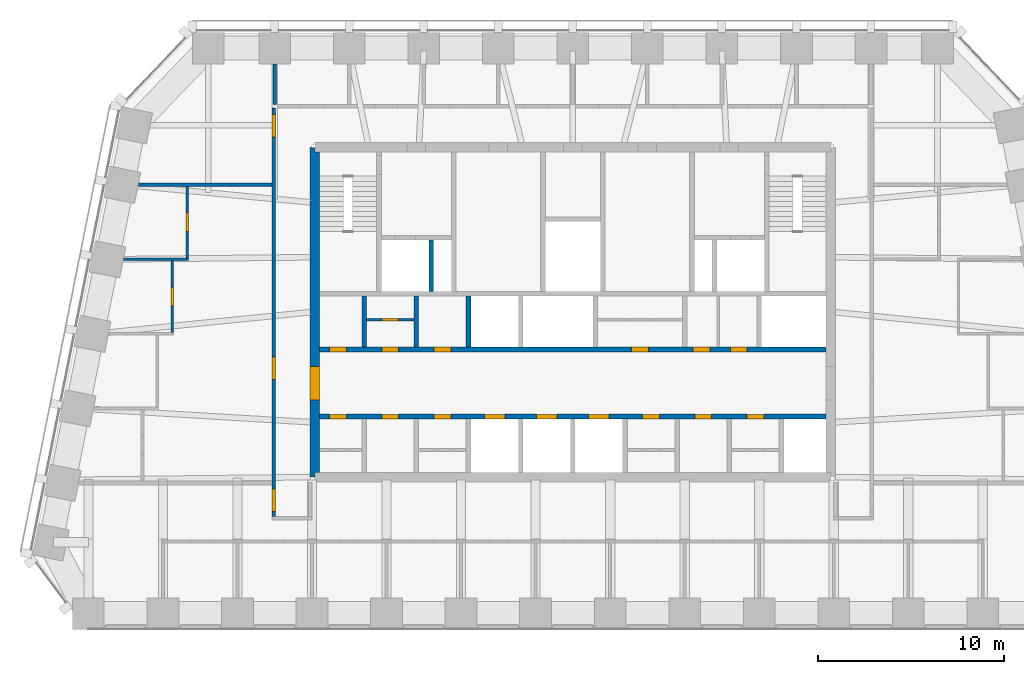
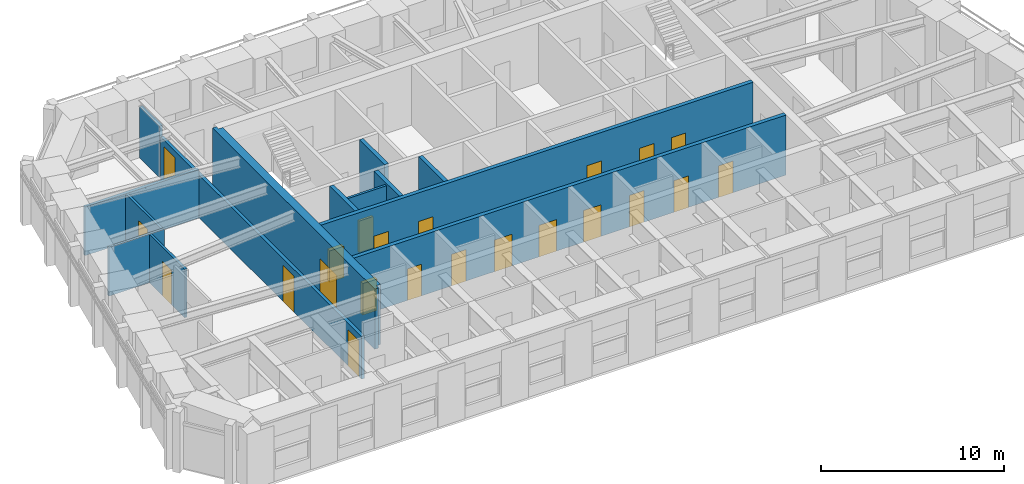
# One storey, part 6 of 12: 22 doors, 14 walls, 22 openings.
"""IFC4 building model written with IfcOpenShell, lengths in metres."""

from ifc_helpers import new_model, si_unit, direction, frame, frame_2d, origin, place, context, subcontext, project, spatial, polyline, rectangle, outline, extrude, material, layer, layer_set, type_object, element, fill, save


model = new_model("IFC4")

# Units and contexts
model_context = context("Model", 3, precision=1e-05, world=origin(), true_north=direction((0.0, 1.0)))
body_context = subcontext(model_context, "Body", "Model", "MODEL_VIEW")
ifc_project = project(units=[si_unit("LENGTHUNIT", "METRE"), si_unit("AREAUNIT", "SQUARE_METRE"), si_unit("VOLUMEUNIT", "CUBIC_METRE"), si_unit("PLANEANGLEUNIT", "RADIAN"), si_unit("MASSUNIT", "GRAM", prefix="KILO")], contexts=[model_context])

# Site, building, storey
site_placement = place(None, origin())
site = spatial("IfcSite", under=ifc_project, at=site_placement, CompositionType="ELEMENT")
building_placement = place(site_placement, origin())
building = spatial("IfcBuilding", under=site, at=building_placement, Name="Isbrekke Arena Tower", CompositionType="ELEMENT")
storey_placement = place(building_placement, frame((0.0, 0.0, 304.0)))
storey = spatial("IfcBuildingStorey", under=building, at=storey_placement, Name="L71", CompositionType="ELEMENT", Elevation=304.0)

# Wall, opening, door
ifc_material_1 = material(Name="Concrete B55 (C55/67)", Category="concrete")
ifc_layer_1 = layer(ifc_material_1, 0.5)
ifc_layer_set_1 = layer_set([ifc_layer_1], Name="CW5 CORE WALL 500")
wall_type_1 = type_object("IfcWallType", Name="CW5 CORE WALL 500", PredefinedType="SHEAR", material=ifc_layer_set_1)
wall_1_placement = place(storey_placement, frame((-13.85009765625, 23.85009765625, 0.0), z_axis=(0.0, 0.0, 1.0), x_axis=(0.0, -1.0, 0.0)))
wall_1 = element("IfcWall", 1, at=wall_1_placement, inside=storey, type_object=wall_type_1, Name="Core wall W L71", PredefinedType="SHEAR", context=body_context, shape_type="SweptSolid", body=[
    extrude(outline(polyline([(0.0, -0.25), (17.7001953125, -0.25), (17.7001953125, 0.0), (17.4501953125, 0.0), (17.4501953125, 0.25), (0.25, 0.25), (0.25, 0.0), (0.0, 0.0), (0.0, -0.25)])), origin(), (0.0, 0.0, 1.0), 4.0),
])
opening_1_placement = place(wall_1_placement, frame((11.75, 0.0, 0.0)))
opening_1 = element("IfcOpeningElement", 2, at=opening_1_placement, cuts=wall_1, Name="Opening D1", PredefinedType="OPENING", context=body_context, shape_type="SweptSolid", body=[
    extrude(rectangle(XDim=1.800048828125, YDim=2.39990234375, at=frame_2d((0.89990234375, 1.199951171875))), frame((0.0, 0.264892578125, 0.0), z_axis=(0.0, -1.0, 0.0), x_axis=(1.0, 0.0, 0.0)), (0.0, 0.0, 1.0), 0.52978515625),
])
ifc_material_2 = material(Name="Steel-framed glazed fire door", Category="steel")
door_type_1 = type_object("IfcDoorType", Name="D1 CORE LOBBY DOOR 1800 x 2400", OperationType="DOUBLE_DOOR_SINGLE_SWING", PredefinedType="DOOR", material=ifc_material_2)
door_1_placement = place(opening_1_placement, origin())
door_1 = element("IfcDoor", 3, at=door_1_placement, inside=storey, type_object=door_type_1, Name="D1 lift lobby door west L71", OperationType="DOUBLE_DOOR_SINGLE_SWING", OverallHeight=2.39990234375, OverallWidth=1.800048828125, PredefinedType="DOOR", context=body_context, shape_type="SweptSolid", body=[
    extrude(rectangle(XDim=1.800048828125, YDim=2.39990234375, at=frame_2d((0.89990234375, 1.199951171875))), frame((0.0, 0.249755859375, 0.0), z_axis=(0.0, -1.0, 0.0), x_axis=(1.0, 0.0, 0.0)), (0.0, 0.0, 1.0), 0.49951171875),
])
fill(opening_1, door_1)

# Wall, openings, doors
ifc_material_3 = material(Name="Concrete B45 (C45/55)", Category="concrete")
ifc_layer_2 = layer(ifc_material_3, 0.25)
ifc_layer_set_2 = layer_set([ifc_layer_2], Name="CW6 SHAFT WALL 250")
wall_type_2 = type_object("IfcWallType", Name="CW6 SHAFT WALL 250", PredefinedType="SHEAR", material=ifc_layer_set_2)
wall_2_placement = place(storey_placement, frame((-13.60009765625, 9.39990234375, 0.0), z_axis=(0.0, 0.0, 1.0), x_axis=(1.0, 0.0, 0.0)))
wall_2 = element("IfcWall", 4, at=wall_2_placement, inside=storey, type_object=wall_type_2, Name="Core wall LS L71", PredefinedType="SHEAR", context=body_context, shape_type="SweptSolid", body=[
    extrude(rectangle(XDim=27.2001953125, YDim=0.25, at=frame_2d((13.60009765625, 0.0))), origin(), (0.0, 0.0, 1.0), 4.0),
])
opening_2_placement = place(wall_2_placement, frame((8.85009765625, 0.0, 0.0)))
opening_2 = element("IfcOpeningElement", 5, at=opening_2_placement, cuts=wall_2, Name="Opening LD1", PredefinedType="OPENING", context=body_context, shape_type="SweptSolid", body=[
    extrude(rectangle(XDim=1.10009765625, YDim=2.10009765625, at=frame_2d((0.550048828125, 1.050048828125))), frame((0.0, 0.139892578125, 0.0), z_axis=(0.0, -1.0, 0.0), x_axis=(1.0, 0.0, 0.0)), (0.0, 0.0, 1.0), 0.27978515625),
])
opening_3_placement = place(wall_2_placement, frame((11.64990234375, 0.0, 0.0)))
opening_3 = element("IfcOpeningElement", 6, at=opening_3_placement, cuts=wall_2, Name="Opening LD1", PredefinedType="OPENING", context=body_context, shape_type="SweptSolid", body=[
    extrude(rectangle(XDim=1.10009765625, YDim=2.10009765625, at=frame_2d((0.550048828125, 1.050048828125))), frame((0.0, 0.139892578125, 0.0), z_axis=(0.0, -1.0, 0.0), x_axis=(1.0, 0.0, 0.0)), (0.0, 0.0, 1.0), 0.27978515625),
])
opening_4_placement = place(wall_2_placement, frame((14.449951171875, 0.0, 0.0)))
opening_4 = element("IfcOpeningElement", 7, at=opening_4_placement, cuts=wall_2, Name="Opening LD1", PredefinedType="OPENING", context=body_context, shape_type="SweptSolid", body=[
    extrude(rectangle(XDim=1.10009765625, YDim=2.10009765625, at=frame_2d((0.550048828125, 1.050048828125))), frame((0.0, 0.139892578125, 0.0), z_axis=(0.0, -1.0, 0.0), x_axis=(1.0, 0.0, 0.0)), (0.0, 0.0, 1.0), 0.27978515625),
])
opening_5_placement = place(wall_2_placement, frame((0.550048828125, 0.0, 0.0)))
opening_5 = element("IfcOpeningElement", 8, at=opening_5_placement, cuts=wall_2, Name="Opening D5", PredefinedType="OPENING", context=body_context, shape_type="SweptSolid", body=[
    extrude(rectangle(XDim=0.89990234375, YDim=2.10009765625, at=frame_2d((0.449951171875, 1.050048828125))), frame((0.0, 0.139892578125, 0.0), z_axis=(0.0, -1.0, 0.0), x_axis=(1.0, 0.0, 0.0)), (0.0, 0.0, 1.0), 0.27978515625),
])
opening_6_placement = place(wall_2_placement, frame((3.35009765625, 0.0, 0.0)))
opening_6 = element("IfcOpeningElement", 9, at=opening_6_placement, cuts=wall_2, Name="Opening D5", PredefinedType="OPENING", context=body_context, shape_type="SweptSolid", body=[
    extrude(rectangle(XDim=0.89990234375, YDim=2.10009765625, at=frame_2d((0.449951171875, 1.050048828125))), frame((0.0, 0.139892578125, 0.0), z_axis=(0.0, -1.0, 0.0), x_axis=(1.0, 0.0, 0.0)), (0.0, 0.0, 1.0), 0.27978515625),
])
opening_7_placement = place(wall_2_placement, frame((6.14990234375, 0.0, 0.0)))
opening_7 = element("IfcOpeningElement", 10, at=opening_7_placement, cuts=wall_2, Name="Opening D5", PredefinedType="OPENING", context=body_context, shape_type="SweptSolid", body=[
    extrude(rectangle(XDim=0.89990234375, YDim=2.10009765625, at=frame_2d((0.449951171875, 1.050048828125))), frame((0.0, 0.139892578125, 0.0), z_axis=(0.0, -1.0, 0.0), x_axis=(1.0, 0.0, 0.0)), (0.0, 0.0, 1.0), 0.27978515625),
])
opening_8_placement = place(wall_2_placement, frame((17.35009765625, 0.0, 0.0)))
opening_8 = element("IfcOpeningElement", 11, at=opening_8_placement, cuts=wall_2, Name="Opening D5", PredefinedType="OPENING", context=body_context, shape_type="SweptSolid", body=[
    extrude(rectangle(XDim=0.89990234375, YDim=2.10009765625, at=frame_2d((0.449951171875, 1.050048828125))), frame((0.0, 0.139892578125, 0.0), z_axis=(0.0, -1.0, 0.0), x_axis=(1.0, 0.0, 0.0)), (0.0, 0.0, 1.0), 0.27978515625),
])
opening_9_placement = place(wall_2_placement, frame((20.14990234375, 0.0, 0.0)))
opening_9 = element("IfcOpeningElement", 12, at=opening_9_placement, cuts=wall_2, Name="Opening D5", PredefinedType="OPENING", context=body_context, shape_type="SweptSolid", body=[
    extrude(rectangle(XDim=0.89990234375, YDim=2.10009765625, at=frame_2d((0.449951171875, 1.050048828125))), frame((0.0, 0.139892578125, 0.0), z_axis=(0.0, -1.0, 0.0), x_axis=(1.0, 0.0, 0.0)), (0.0, 0.0, 1.0), 0.27978515625),
])
opening_10_placement = place(wall_2_placement, frame((22.949951171875, 0.0, 0.0)))
opening_10 = element("IfcOpeningElement", 13, at=opening_10_placement, cuts=wall_2, Name="Opening D5", PredefinedType="OPENING", context=body_context, shape_type="SweptSolid", body=[
    extrude(rectangle(XDim=0.89990234375, YDim=2.10009765625, at=frame_2d((0.449951171875, 1.050048828125))), frame((0.0, 0.139892578125, 0.0), z_axis=(0.0, -1.0, 0.0), x_axis=(1.0, 0.0, 0.0)), (0.0, 0.0, 1.0), 0.27978515625),
])
ifc_material_4 = material(Name="Steel fire door", Category="steel")
door_type_2 = type_object("IfcDoorType", Name="D5 SERVICE DOOR 900 x 2100", OperationType="SINGLE_SWING_LEFT", PredefinedType="DOOR", material=ifc_material_4)
door_2_placement = place(opening_5_placement, origin())
door_2 = element("IfcDoor", 14, at=door_2_placement, inside=storey, type_object=door_type_2, Name="D5 tea point door L71", OperationType="SINGLE_SWING_LEFT", OverallHeight=2.10009765625, OverallWidth=0.89990234375, PredefinedType="DOOR", context=body_context, shape_type="SweptSolid", body=[
    extrude(rectangle(XDim=0.89990234375, YDim=2.10009765625, at=frame_2d((0.449951171875, 1.050048828125))), frame((0.0, 0.124755859375, 0.0), z_axis=(0.0, -1.0, 0.0), x_axis=(1.0, 0.0, 0.0)), (0.0, 0.0, 1.0), 0.24951171875),
])
fill(opening_5, door_2)
door_3_placement = place(opening_6_placement, origin())
door_3 = element("IfcDoor", 15, at=door_3_placement, inside=storey, type_object=door_type_2, Name="D5 technical room door L71", OperationType="SINGLE_SWING_LEFT", OverallHeight=2.10009765625, OverallWidth=0.89990234375, PredefinedType="DOOR", context=body_context, shape_type="SweptSolid", body=[
    extrude(rectangle(XDim=0.89990234375, YDim=2.10009765625, at=frame_2d((0.449951171875, 1.050048828125))), frame((0.0, 0.124755859375, 0.0), z_axis=(0.0, -1.0, 0.0), x_axis=(1.0, 0.0, 0.0)), (0.0, 0.0, 1.0), 0.24951171875),
])
fill(opening_6, door_3)
door_4_placement = place(opening_7_placement, origin())
door_4 = element("IfcDoor", 16, at=door_4_placement, inside=storey, type_object=door_type_2, Name="D5 mothers' room door L71", OperationType="SINGLE_SWING_LEFT", OverallHeight=2.10009765625, OverallWidth=0.89990234375, PredefinedType="DOOR", context=body_context, shape_type="SweptSolid", body=[
    extrude(rectangle(XDim=0.89990234375, YDim=2.10009765625, at=frame_2d((0.449951171875, 1.050048828125))), frame((0.0, 0.124755859375, 0.0), z_axis=(0.0, -1.0, 0.0), x_axis=(1.0, 0.0, 0.0)), (0.0, 0.0, 1.0), 0.24951171875),
])
fill(opening_7, door_4)
door_5_placement = place(opening_8_placement, origin())
door_5 = element("IfcDoor", 17, at=door_5_placement, inside=storey, type_object=door_type_2, Name="D5 first-aid room door L71", OperationType="SINGLE_SWING_LEFT", OverallHeight=2.10009765625, OverallWidth=0.89990234375, PredefinedType="DOOR", context=body_context, shape_type="SweptSolid", body=[
    extrude(rectangle(XDim=0.89990234375, YDim=2.10009765625, at=frame_2d((0.449951171875, 1.050048828125))), frame((0.0, 0.124755859375, 0.0), z_axis=(0.0, -1.0, 0.0), x_axis=(1.0, 0.0, 0.0)), (0.0, 0.0, 1.0), 0.24951171875),
])
fill(opening_8, door_5)
door_6_placement = place(opening_9_placement, origin())
door_6 = element("IfcDoor", 18, at=door_6_placement, inside=storey, type_object=door_type_2, Name="D5 archive door L71", OperationType="SINGLE_SWING_LEFT", OverallHeight=2.10009765625, OverallWidth=0.89990234375, PredefinedType="DOOR", context=body_context, shape_type="SweptSolid", body=[
    extrude(rectangle(XDim=0.89990234375, YDim=2.10009765625, at=frame_2d((0.449951171875, 1.050048828125))), frame((0.0, 0.124755859375, 0.0), z_axis=(0.0, -1.0, 0.0), x_axis=(1.0, 0.0, 0.0)), (0.0, 0.0, 1.0), 0.24951171875),
])
fill(opening_9, door_6)
door_7_placement = place(opening_10_placement, origin())
door_7 = element("IfcDoor", 19, at=door_7_placement, inside=storey, type_object=door_type_2, Name="D5 print room door L71", OperationType="SINGLE_SWING_LEFT", OverallHeight=2.10009765625, OverallWidth=0.89990234375, PredefinedType="DOOR", context=body_context, shape_type="SweptSolid", body=[
    extrude(rectangle(XDim=0.89990234375, YDim=2.10009765625, at=frame_2d((0.449951171875, 1.050048828125))), frame((0.0, 0.124755859375, 0.0), z_axis=(0.0, -1.0, 0.0), x_axis=(1.0, 0.0, 0.0)), (0.0, 0.0, 1.0), 0.24951171875),
])
fill(opening_10, door_7)
ifc_material_5 = material(Name="Stainless steel lift landing door", Category="steel")
door_type_3 = type_object("IfcDoorType", Name="LD1 LIFT LANDING DOOR 1100 x 2100", OperationType="SLIDING_TO_LEFT", PredefinedType="DOOR", material=ifc_material_5)
door_8_placement = place(opening_2_placement, origin())
door_8 = element("IfcDoor", 20, at=door_8_placement, inside=storey, type_object=door_type_3, Name="LD1 lift landing door LE L71", OperationType="SLIDING_TO_LEFT", OverallHeight=2.10009765625, OverallWidth=1.10009765625, PredefinedType="DOOR", context=body_context, shape_type="SweptSolid", body=[
    extrude(rectangle(XDim=1.10009765625, YDim=2.10009765625, at=frame_2d((0.550048828125, 1.050048828125))), frame((0.0, 0.124755859375, 0.0), z_axis=(0.0, -1.0, 0.0), x_axis=(1.0, 0.0, 0.0)), (0.0, 0.0, 1.0), 0.24951171875),
])
fill(opening_2, door_8)
door_9_placement = place(opening_3_placement, origin())
door_9 = element("IfcDoor", 21, at=door_9_placement, inside=storey, type_object=door_type_3, Name="LD1 lift landing door LE L71", OperationType="SLIDING_TO_LEFT", OverallHeight=2.10009765625, OverallWidth=1.10009765625, PredefinedType="DOOR", context=body_context, shape_type="SweptSolid", body=[
    extrude(rectangle(XDim=1.10009765625, YDim=2.10009765625, at=frame_2d((0.550048828125, 1.050048828125))), frame((0.0, 0.124755859375, 0.0), z_axis=(0.0, -1.0, 0.0), x_axis=(1.0, 0.0, 0.0)), (0.0, 0.0, 1.0), 0.24951171875),
])
fill(opening_3, door_9)
door_10_placement = place(opening_4_placement, origin())
door_10 = element("IfcDoor", 22, at=door_10_placement, inside=storey, type_object=door_type_3, Name="LD1 lift landing door LE L71", OperationType="SLIDING_TO_LEFT", OverallHeight=2.10009765625, OverallWidth=1.10009765625, PredefinedType="DOOR", context=body_context, shape_type="SweptSolid", body=[
    extrude(rectangle(XDim=1.10009765625, YDim=2.10009765625, at=frame_2d((0.550048828125, 1.050048828125))), frame((0.0, 0.124755859375, 0.0), z_axis=(0.0, -1.0, 0.0), x_axis=(1.0, 0.0, 0.0)), (0.0, 0.0, 1.0), 0.24951171875),
])
fill(opening_4, door_10)

wall_3_placement = place(storey_placement, frame((-13.60009765625, 13.0, 0.0), z_axis=(0.0, 0.0, 1.0), x_axis=(1.0, 0.0, 0.0)))
wall_3 = element("IfcWall", 23, at=wall_3_placement, inside=storey, type_object=wall_type_2, Name="Core wall LN L71", PredefinedType="SHEAR", context=body_context, shape_type="SweptSolid", body=[
    extrude(rectangle(XDim=27.2001953125, YDim=0.25, at=frame_2d((13.60009765625, 0.0))), origin(), (0.0, 0.0, 1.0), 4.0),
])
opening_11_placement = place(wall_3_placement, frame((16.75, 0.0, 0.0)))
opening_11 = element("IfcOpeningElement", 24, at=opening_11_placement, cuts=wall_3, Name="Opening D5", PredefinedType="OPENING", context=body_context, shape_type="SweptSolid", body=[
    extrude(rectangle(XDim=0.89990234375, YDim=2.10009765625, at=frame_2d((0.449951171875, 1.050048828125))), frame((0.0, 0.139892578125, 0.0), z_axis=(0.0, -1.0, 0.0), x_axis=(1.0, 0.0, 0.0)), (0.0, 0.0, 1.0), 0.27978515625),
])
opening_12_placement = place(wall_3_placement, frame((20.050048828125, 0.0, 0.0)))
opening_12 = element("IfcOpeningElement", 25, at=opening_12_placement, cuts=wall_3, Name="Opening D5", PredefinedType="OPENING", context=body_context, shape_type="SweptSolid", body=[
    extrude(rectangle(XDim=0.89990234375, YDim=2.10009765625, at=frame_2d((0.449951171875, 1.050048828125))), frame((0.0, 0.139892578125, 0.0), z_axis=(0.0, -1.0, 0.0), x_axis=(1.0, 0.0, 0.0)), (0.0, 0.0, 1.0), 0.27978515625),
])
opening_13_placement = place(wall_3_placement, frame((22.050048828125, 0.0, 0.0)))
opening_13 = element("IfcOpeningElement", 26, at=opening_13_placement, cuts=wall_3, Name="Opening D5", PredefinedType="OPENING", context=body_context, shape_type="SweptSolid", body=[
    extrude(rectangle(XDim=0.89990234375, YDim=2.10009765625, at=frame_2d((0.449951171875, 1.050048828125))), frame((0.0, 0.139892578125, 0.0), z_axis=(0.0, -1.0, 0.0), x_axis=(1.0, 0.0, 0.0)), (0.0, 0.0, 1.0), 0.27978515625),
])
opening_14_placement = place(wall_3_placement, frame((0.550048828125, 0.0, 0.0)))
opening_14 = element("IfcOpeningElement", 27, at=opening_14_placement, cuts=wall_3, Name="Opening D5", PredefinedType="OPENING", context=body_context, shape_type="SweptSolid", body=[
    extrude(rectangle(XDim=0.89990234375, YDim=2.10009765625, at=frame_2d((0.449951171875, 1.050048828125))), frame((0.0, 0.139892578125, 0.0), z_axis=(0.0, -1.0, 0.0), x_axis=(1.0, 0.0, 0.0)), (0.0, 0.0, 1.0), 0.27978515625),
])
opening_15_placement = place(wall_3_placement, frame((3.35009765625, 0.0, 0.0)))
opening_15 = element("IfcOpeningElement", 28, at=opening_15_placement, cuts=wall_3, Name="Opening D5", PredefinedType="OPENING", context=body_context, shape_type="SweptSolid", body=[
    extrude(rectangle(XDim=0.89990234375, YDim=2.10009765625, at=frame_2d((0.449951171875, 1.050048828125))), frame((0.0, 0.139892578125, 0.0), z_axis=(0.0, -1.0, 0.0), x_axis=(1.0, 0.0, 0.0)), (0.0, 0.0, 1.0), 0.27978515625),
])
opening_16_placement = place(wall_3_placement, frame((6.14990234375, 0.0, 0.0)))
opening_16 = element("IfcOpeningElement", 29, at=opening_16_placement, cuts=wall_3, Name="Opening D5", PredefinedType="OPENING", context=body_context, shape_type="SweptSolid", body=[
    extrude(rectangle(XDim=0.89990234375, YDim=2.10009765625, at=frame_2d((0.449951171875, 1.050048828125))), frame((0.0, 0.139892578125, 0.0), z_axis=(0.0, -1.0, 0.0), x_axis=(1.0, 0.0, 0.0)), (0.0, 0.0, 1.0), 0.27978515625),
])
door_11_placement = place(opening_11_placement, origin())
door_11 = element("IfcDoor", 30, at=door_11_placement, inside=storey, type_object=door_type_2, Name="D5 print room door L71", OperationType="SINGLE_SWING_LEFT", OverallHeight=2.10009765625, OverallWidth=0.89990234375, PredefinedType="DOOR", context=body_context, shape_type="SweptSolid", body=[
    extrude(rectangle(XDim=0.89990234375, YDim=2.10009765625, at=frame_2d((0.449951171875, 1.050048828125))), frame((0.0, 0.124755859375, 0.0), z_axis=(0.0, -1.0, 0.0), x_axis=(1.0, 0.0, 0.0)), (0.0, 0.0, 1.0), 0.24951171875),
])
fill(opening_11, door_11)
door_12_placement = place(opening_12_placement, origin())
door_12 = element("IfcDoor", 31, at=door_12_placement, inside=storey, type_object=door_type_2, Name="D5 cleaner's store door L71", OperationType="SINGLE_SWING_LEFT", OverallHeight=2.10009765625, OverallWidth=0.89990234375, PredefinedType="DOOR", context=body_context, shape_type="SweptSolid", body=[
    extrude(rectangle(XDim=0.89990234375, YDim=2.10009765625, at=frame_2d((0.449951171875, 1.050048828125))), frame((0.0, 0.124755859375, 0.0), z_axis=(0.0, -1.0, 0.0), x_axis=(1.0, 0.0, 0.0)), (0.0, 0.0, 1.0), 0.24951171875),
])
fill(opening_12, door_12)
door_13_placement = place(opening_13_placement, origin())
door_13 = element("IfcDoor", 32, at=door_13_placement, inside=storey, type_object=door_type_2, Name="D5 communications room door L71", OperationType="SINGLE_SWING_LEFT", OverallHeight=2.10009765625, OverallWidth=0.89990234375, PredefinedType="DOOR", context=body_context, shape_type="SweptSolid", body=[
    extrude(rectangle(XDim=0.89990234375, YDim=2.10009765625, at=frame_2d((0.449951171875, 1.050048828125))), frame((0.0, 0.124755859375, 0.0), z_axis=(0.0, -1.0, 0.0), x_axis=(1.0, 0.0, 0.0)), (0.0, 0.0, 1.0), 0.24951171875),
])
fill(opening_13, door_13)
door_14_placement = place(opening_14_placement, origin())
door_14 = element("IfcDoor", 33, at=door_14_placement, inside=storey, type_object=door_type_2, Name="D5 print room door L71", OperationType="SINGLE_SWING_LEFT", OverallHeight=2.10009765625, OverallWidth=0.89990234375, PredefinedType="DOOR", context=body_context, shape_type="SweptSolid", body=[
    extrude(rectangle(XDim=0.89990234375, YDim=2.10009765625, at=frame_2d((0.449951171875, 1.050048828125))), frame((0.0, 0.124755859375, 0.0), z_axis=(0.0, -1.0, 0.0), x_axis=(1.0, 0.0, 0.0)), (0.0, 0.0, 1.0), 0.24951171875),
])
fill(opening_14, door_14)
door_15_placement = place(opening_15_placement, origin())
door_15 = element("IfcDoor", 34, at=door_15_placement, inside=storey, type_object=door_type_2, Name="D5 tea point door L71", OperationType="SINGLE_SWING_LEFT", OverallHeight=2.10009765625, OverallWidth=0.89990234375, PredefinedType="DOOR", context=body_context, shape_type="SweptSolid", body=[
    extrude(rectangle(XDim=0.89990234375, YDim=2.10009765625, at=frame_2d((0.449951171875, 1.050048828125))), frame((0.0, 0.124755859375, 0.0), z_axis=(0.0, -1.0, 0.0), x_axis=(1.0, 0.0, 0.0)), (0.0, 0.0, 1.0), 0.24951171875),
])
fill(opening_15, door_15)
door_16_placement = place(opening_16_placement, origin())
door_16 = element("IfcDoor", 35, at=door_16_placement, inside=storey, type_object=door_type_2, Name="D5 tenant store door L71", OperationType="SINGLE_SWING_LEFT", OverallHeight=2.10009765625, OverallWidth=0.89990234375, PredefinedType="DOOR", context=body_context, shape_type="SweptSolid", body=[
    extrude(rectangle(XDim=0.89990234375, YDim=2.10009765625, at=frame_2d((0.449951171875, 1.050048828125))), frame((0.0, 0.124755859375, 0.0), z_axis=(0.0, -1.0, 0.0), x_axis=(1.0, 0.0, 0.0)), (0.0, 0.0, 1.0), 0.24951171875),
])
fill(opening_16, door_16)

# Walls
for number, where, z_axis, x_axis, name in (
    (36, (-11.199951171875, 13.125, 0.0), (0.0, 0.0, 1.0), (0.0, 1.0, 0.0), "Core wall SN01 L71"),
    (37, (-8.39990234375, 13.125, 0.0), (0.0, 0.0, 1.0), (0.0, 1.0, 0.0), "Core wall SN02 L71"),
    (38, (-5.60009765625, 13.125, 0.0), (0.0, 0.0, 1.0), (0.0, 1.0, 0.0), "Core wall SN03 L71"),
    (39, (-7.60009765625, 16.125, 0.0), (0.0, 0.0, 1.0), (0.0, 1.0, 0.0), "Core wall NFS1 L71"),
):
    element("IfcWall", number, at=place(storey_placement, frame(where, z_axis=z_axis, x_axis=x_axis)), inside=storey, type_object=wall_type_2, Name=name, PredefinedType="SHEAR", context=body_context, shape_type="SweptSolid", body=[
        extrude(rectangle(XDim=2.75, YDim=0.25, at=frame_2d((1.375, 0.0))), origin(), (0.0, 0.0, 1.0), 4.0),
    ])
ifc_material_6 = material(Name="Gypsum board partition on steel studs", Category="steel")
ifc_layer_3 = layer(ifc_material_6, 0.14990234375)
ifc_layer_set_3 = layer_set([ifc_layer_3], Name="IW1 PARTITION 150")
wall_type_3 = type_object("IfcWallType", Name="IW1 PARTITION 150", PredefinedType="PARTITIONING", material=ifc_layer_set_3)
wall_4_placement = place(storey_placement, frame((-24.123779296875, 17.840087890625, 0.0), z_axis=(0.0, 0.0, 1.0), x_axis=(1.0, 0.0, 0.0)))
element("IfcWall", 40, at=wall_4_placement, inside=storey, type_object=wall_type_3, Name="IW1 partition 150 L71", PredefinedType="PARTITIONING", context=body_context, shape_type="SweptSolid", body=[
    extrude(rectangle(XDim=3.498779296875, YDim=0.14990234375, at=frame_2d((1.74951171875, 0.0))), origin(), (0.0, 0.0, 1.0), 3.22998046875),
])

# Wall, opening, door
wall_5_placement = place(storey_placement, frame((-21.5, 13.9150390625, 0.0), z_axis=(0.0, 0.0, 1.0), x_axis=(0.0, 1.0, 0.0)))
wall_5 = element("IfcWall", 41, at=wall_5_placement, inside=storey, type_object=wall_type_3, Name="IW1 partition 150 L71", PredefinedType="PARTITIONING", context=body_context, shape_type="SweptSolid", body=[
    extrude(rectangle(XDim=3.849853515625, YDim=0.14990234375, at=frame_2d((1.9248046875, 0.0))), origin(), (0.0, 0.0, 1.0), 3.22998046875),
])
opening_17_placement = place(wall_5_placement, frame((1.425048828125, 0.0, 0.0)))
opening_17 = element("IfcOpeningElement", 42, at=opening_17_placement, cuts=wall_5, Name="Opening D10", PredefinedType="OPENING", context=body_context, shape_type="SweptSolid", body=[
    extrude(rectangle(XDim=1.0, YDim=2.300048828125, at=frame_2d((0.5, 1.14990234375))), frame((0.0, 0.08984375, 0.0), z_axis=(0.0, -1.0, 0.0), x_axis=(1.0, 0.0, 0.0)), (0.0, 0.0, 1.0), 0.1796875),
])
ifc_material_7 = material(Name="Timber door", Category="wood")
door_type_4 = type_object("IfcDoorType", Name="D10 OFFICE DOOR 1000 x 2300", OperationType="SINGLE_SWING_LEFT", PredefinedType="DOOR", material=ifc_material_7)
door_17_placement = place(opening_17_placement, origin())
door_17 = element("IfcDoor", 43, at=door_17_placement, inside=storey, type_object=door_type_4, Name="D10 executive office door L71", OperationType="SINGLE_SWING_LEFT", OverallHeight=2.300048828125, OverallWidth=1.0, PredefinedType="DOOR", context=body_context, shape_type="SweptSolid", body=[
    extrude(rectangle(XDim=1.0, YDim=2.300048828125, at=frame_2d((0.5, 1.14990234375))), frame((0.0, 0.07470703125, 0.0), z_axis=(0.0, -1.0, 0.0), x_axis=(1.0, 0.0, 0.0)), (0.0, 0.0, 1.0), 0.1494140625),
])
fill(opening_17, door_17)

wall_6_placement = place(storey_placement, frame((-20.699951171875, 17.9150390625, 0.0), z_axis=(0.0, 0.0, 1.0), x_axis=(0.0, 1.0, 0.0)))
wall_6 = element("IfcWall", 44, at=wall_6_placement, inside=storey, type_object=wall_type_3, Name="IW1 partition 150 L71", PredefinedType="PARTITIONING", context=body_context, shape_type="SweptSolid", body=[
    extrude(rectangle(XDim=3.824951171875, YDim=0.14990234375, at=frame_2d((1.91259765625, 0.0))), origin(), (0.0, 0.0, 1.0), 3.22998046875),
])
opening_18_placement = place(wall_6_placement, frame((1.425048828125, 0.0, 0.0)))
opening_18 = element("IfcOpeningElement", 45, at=opening_18_placement, cuts=wall_6, Name="Opening D10", PredefinedType="OPENING", context=body_context, shape_type="SweptSolid", body=[
    extrude(rectangle(XDim=1.0, YDim=2.300048828125, at=frame_2d((0.5, 1.14990234375))), frame((0.0, 0.08984375, 0.0), z_axis=(0.0, -1.0, 0.0), x_axis=(1.0, 0.0, 0.0)), (0.0, 0.0, 1.0), 0.1796875),
])
door_18_placement = place(opening_18_placement, origin())
door_18 = element("IfcDoor", 46, at=door_18_placement, inside=storey, type_object=door_type_4, Name="D10 executive office door L71", OperationType="SINGLE_SWING_LEFT", OverallHeight=2.300048828125, OverallWidth=1.0, PredefinedType="DOOR", context=body_context, shape_type="SweptSolid", body=[
    extrude(rectangle(XDim=1.0, YDim=2.300048828125, at=frame_2d((0.5, 1.14990234375))), frame((0.0, 0.07470703125, 0.0), z_axis=(0.0, -1.0, 0.0), x_axis=(1.0, 0.0, 0.0)), (0.0, 0.0, 1.0), 0.1494140625),
])
fill(opening_18, door_18)

# Wall
ifc_material_8 = material(Name="Gypsum board fire-cell wall on steel studs, two layers each side", Category="steel")
ifc_layer_4 = layer(ifc_material_8, 0.199951171875)
ifc_layer_set_4 = layer_set([ifc_layer_4], Name="IW3 FIRE-CELL WALL 200")
wall_type_4 = type_object("IfcWallType", Name="IW3 FIRE-CELL WALL 200", PredefinedType="PARTITIONING", material=ifc_layer_set_4)
wall_7_placement = place(storey_placement, frame((-23.32373046875, 21.840087890625, 0.0), z_axis=(0.0, 0.0, 1.0), x_axis=(1.0, 0.0, 0.0)))
element("IfcWall", 47, at=wall_7_placement, inside=storey, type_object=wall_type_4, Name="IW3 fire-cell wall 200 L71", PredefinedType="PARTITIONING", context=body_context, shape_type="SweptSolid", body=[
    extrude(rectangle(XDim=7.173828125, YDim=0.199951171875, at=frame_2d((3.5869140625, 0.0))), origin(), (0.0, 0.0, 1.0), 3.22998046875),
])

# Wall, openings, doors
wall_8_placement = place(storey_placement, frame((-16.050048828125, 4.050048828125, 0.0), z_axis=(0.0, 0.0, 1.0), x_axis=(0.0, 1.0, 0.0)))
wall_8 = element("IfcWall", 48, at=wall_8_placement, inside=storey, type_object=wall_type_4, Name="IW3 fire-cell wall 200 L71", PredefinedType="PARTITIONING", context=body_context, shape_type="SweptSolid", body=[
    extrude(rectangle(XDim=21.89990234375, YDim=0.199951171875, at=frame_2d((10.949951171875, 0.0))), origin(), (0.0, 0.0, 1.0), 2.842041015625),
])
opening_19_placement = place(wall_8_placement, frame((0.25, 0.0, 0.0)))
opening_19 = element("IfcOpeningElement", 49, at=opening_19_placement, cuts=wall_8, Name="Opening D12", PredefinedType="OPENING", context=body_context, shape_type="SweptSolid", body=[
    extrude(rectangle(XDim=1.199951171875, YDim=2.39990234375, at=frame_2d((0.60009765625, 1.199951171875))), frame((0.0, 0.11474609375, 0.0), z_axis=(0.0, -1.0, 0.0), x_axis=(1.0, 0.0, 0.0)), (0.0, 0.0, 1.0), 0.229736328125),
])
opening_20_placement = place(wall_8_placement, frame((7.35009765625, 0.0, 0.0)))
opening_20 = element("IfcOpeningElement", 50, at=opening_20_placement, cuts=wall_8, Name="Opening D12", PredefinedType="OPENING", context=body_context, shape_type="SweptSolid", body=[
    extrude(rectangle(XDim=1.199951171875, YDim=2.39990234375, at=frame_2d((0.60009765625, 1.199951171875))), frame((0.0, 0.11474609375, 0.0), z_axis=(0.0, -1.0, 0.0), x_axis=(1.0, 0.0, 0.0)), (0.0, 0.0, 1.0), 0.229736328125),
])
opening_21_placement = place(wall_8_placement, frame((20.35009765625, 0.0, 0.0)))
opening_21 = element("IfcOpeningElement", 51, at=opening_21_placement, cuts=wall_8, Name="Opening D12", PredefinedType="OPENING", context=body_context, shape_type="SweptSolid", body=[
    extrude(rectangle(XDim=1.199951171875, YDim=2.39990234375, at=frame_2d((0.60009765625, 1.199951171875))), frame((0.0, 0.11474609375, 0.0), z_axis=(0.0, -1.0, 0.0), x_axis=(1.0, 0.0, 0.0)), (0.0, 0.0, 1.0), 0.229736328125),
])
ifc_material_9 = material(Name="Timber fire door with vision panel", Category="wood")
door_type_5 = type_object("IfcDoorType", Name="D12 SUITE ENTRANCE DOOR 1200 x 2400", OperationType="SINGLE_SWING_LEFT", PredefinedType="DOOR", material=ifc_material_9)
door_19_placement = place(opening_19_placement, origin())
door_19 = element("IfcDoor", 52, at=door_19_placement, inside=storey, type_object=door_type_5, Name="D12 suite entrance S door L71", OperationType="SINGLE_SWING_LEFT", OverallHeight=2.39990234375, OverallWidth=1.199951171875, PredefinedType="DOOR", context=body_context, shape_type="SweptSolid", body=[
    extrude(rectangle(XDim=1.199951171875, YDim=2.39990234375, at=frame_2d((0.60009765625, 1.199951171875))), frame((0.0, 0.099609375, 0.0), z_axis=(0.0, -1.0, 0.0), x_axis=(1.0, 0.0, 0.0)), (0.0, 0.0, 1.0), 0.199462890625),
])
fill(opening_19, door_19)
door_20_placement = place(opening_20_placement, origin())
door_20 = element("IfcDoor", 53, at=door_20_placement, inside=storey, type_object=door_type_5, Name="D12 suite entrance W door L71", OperationType="SINGLE_SWING_LEFT", OverallHeight=2.39990234375, OverallWidth=1.199951171875, PredefinedType="DOOR", context=body_context, shape_type="SweptSolid", body=[
    extrude(rectangle(XDim=1.199951171875, YDim=2.39990234375, at=frame_2d((0.60009765625, 1.199951171875))), frame((0.0, 0.099609375, 0.0), z_axis=(0.0, -1.0, 0.0), x_axis=(1.0, 0.0, 0.0)), (0.0, 0.0, 1.0), 0.199462890625),
])
fill(opening_20, door_20)
door_21_placement = place(opening_21_placement, origin())
door_21 = element("IfcDoor", 54, at=door_21_placement, inside=storey, type_object=door_type_5, Name="D12 suite entrance NCW door L71", OperationType="SINGLE_SWING_LEFT", OverallHeight=2.39990234375, OverallWidth=1.199951171875, PredefinedType="DOOR", context=body_context, shape_type="SweptSolid", body=[
    extrude(rectangle(XDim=1.199951171875, YDim=2.39990234375, at=frame_2d((0.60009765625, 1.199951171875))), frame((0.0, 0.099609375, 0.0), z_axis=(0.0, -1.0, 0.0), x_axis=(1.0, 0.0, 0.0)), (0.0, 0.0, 1.0), 0.199462890625),
])
fill(opening_21, door_21)

# Wall
wall_9_placement = place(storey_placement, frame((-16.0, 26.14990234375, 0.0), z_axis=(0.0, 0.0, 1.0), x_axis=(0.0, 1.0, 0.0)))
element("IfcWall", 55, at=wall_9_placement, inside=storey, type_object=wall_type_4, Name="IW3 fire-cell wall 200 L71", PredefinedType="PARTITIONING", context=body_context, shape_type="SweptSolid", body=[
    extrude(rectangle(XDim=2.175048828125, YDim=0.199951171875, at=frame_2d((1.08740234375, 0.0))), origin(), (0.0, 0.0, 1.0), 3.41796875),
])

# Wall, opening, door
ifc_material_10 = material(Name="Gypsum board fire-rated partition on steel studs, two layers each side", Category="steel")
ifc_layer_5 = layer(ifc_material_10, 0.14990234375)
ifc_layer_set_5 = layer_set([ifc_layer_5], Name="IW5 FIRE-RATED PARTITION 150")
wall_type_5 = type_object("IfcWallType", Name="IW5 FIRE-RATED PARTITION 150", PredefinedType="PARTITIONING", material=ifc_layer_set_5)
wall_10_placement = place(storey_placement, frame((-11.074951171875, 14.60009765625, 0.0), z_axis=(0.0, 0.0, 1.0), x_axis=(1.0, 0.0, 0.0)))
wall_10 = element("IfcWall", 56, at=wall_10_placement, inside=storey, type_object=wall_type_5, Name="IW5 fire-rated partition L71 core service rooms 3", PredefinedType="PARTITIONING", context=body_context, shape_type="SweptSolid", body=[
    extrude(rectangle(XDim=2.550048828125, YDim=0.14990234375, at=frame_2d((1.27490234375, 0.0))), origin(), (0.0, 0.0, 1.0), 3.85009765625),
])
opening_22_placement = place(wall_10_placement, frame((0.824951171875, 0.0, 0.0)))
opening_22 = element("IfcOpeningElement", 57, at=opening_22_placement, cuts=wall_10, Name="Opening D5", PredefinedType="OPENING", context=body_context, shape_type="SweptSolid", body=[
    extrude(rectangle(XDim=0.89990234375, YDim=2.10009765625, at=frame_2d((0.449951171875, 1.050048828125))), frame((0.0, 0.08984375, 0.0), z_axis=(0.0, -1.0, 0.0), x_axis=(1.0, 0.0, 0.0)), (0.0, 0.0, 1.0), 0.1796875),
])
door_22_placement = place(opening_22_placement, origin())
door_22 = element("IfcDoor", 58, at=door_22_placement, inside=storey, type_object=door_type_2, Name="D5 archive door L71", OperationType="SINGLE_SWING_LEFT", OverallHeight=2.10009765625, OverallWidth=0.89990234375, PredefinedType="DOOR", context=body_context, shape_type="SweptSolid", body=[
    extrude(rectangle(XDim=0.89990234375, YDim=2.10009765625, at=frame_2d((0.449951171875, 1.050048828125))), frame((0.0, 0.07470703125, 0.0), z_axis=(0.0, -1.0, 0.0), x_axis=(1.0, 0.0, 0.0)), (0.0, 0.0, 1.0), 0.1494140625),
])
fill(opening_22, door_22)

save(model, "model.ifc")
